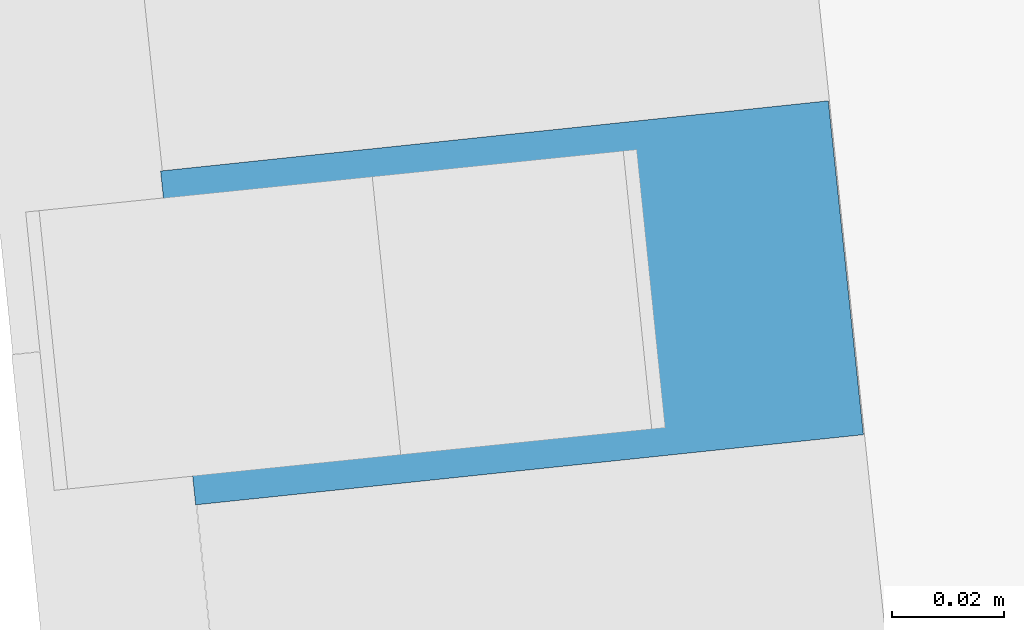
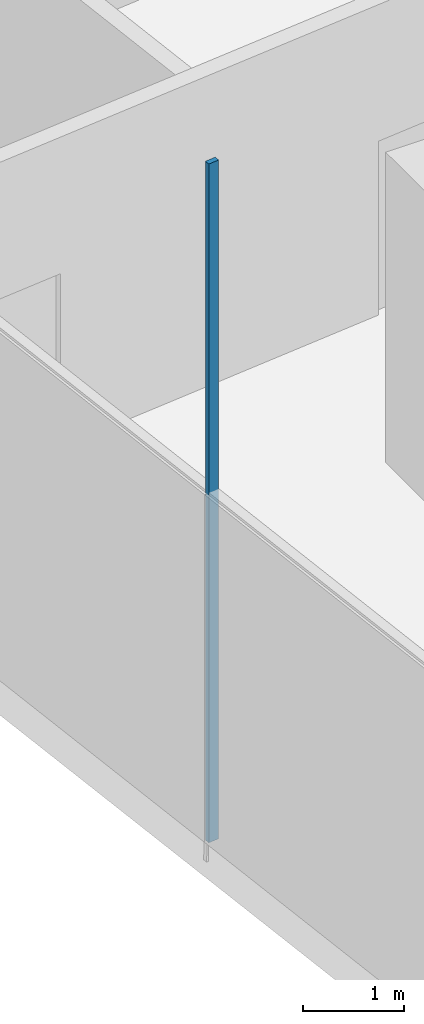
# One storey, part 5 of 41: 1 member, 1 element without a shape of its own.
"""IFC4 building model written with IfcOpenShell, lengths in metres."""

from ifc_helpers import new_model, si_unit, direction, frame, origin, origin_2d, place, context, subcontext, project, spatial, rectangle, extrude, material, layer, layer_set, material_profile, profile_set, type_object, element, aggregate, save


model = new_model("IFC4")

# Units and contexts
model_context = context("Model", 3, precision=1e-05, world=origin(), true_north=direction((0.0, 1.0)))
body_context = subcontext(model_context, "Body", "Model", "MODEL_VIEW")
ifc_project = project(units=[si_unit("LENGTHUNIT", "METRE"), si_unit("AREAUNIT", "SQUARE_METRE"), si_unit("VOLUMEUNIT", "CUBIC_METRE"), si_unit("PLANEANGLEUNIT", "RADIAN"), si_unit("MASSUNIT", "GRAM", prefix="KILO")], contexts=[model_context])

# Site, building, storey
site_placement = place(None, origin())
site = spatial("IfcSite", under=ifc_project, at=site_placement, CompositionType="ELEMENT")
building_placement = place(site_placement, origin())
building = spatial("IfcBuilding", under=site, at=building_placement, Name="Hakoniwa Tower and Hamabe Station Hall", CompositionType="ELEMENT")
storey_placement = place(building_placement, frame((0.0, 0.0, 276.60009765625)))
storey = spatial("IfcBuildingStorey", under=building, at=storey_placement, Name="L77", CompositionType="ELEMENT", Elevation=276.60009765625)

# Curtain wall, member
ifc_material_1 = material(Name="Dark low-e laminated glass", Category="glass")
ifc_layer = layer(ifc_material_1, 0.199951171875)
ifc_layer_set = layer_set([ifc_layer], Name="CW-4 CROWN FACETS")
curtain_wall_type = type_object("IfcCurtainWallType", Name="CW-4 CROWN FACETS", PredefinedType="NOTDEFINED", material=ifc_layer_set)
curtain_wall_placement = place(storey_placement, origin())
curtain_wall = element("IfcCurtainWall", 1, at=curtain_wall_placement, inside=storey, type_object=curtain_wall_type, Name="Crown skirt facet L77", PredefinedType="NOTDEFINED")
ifc_material_2 = material(Name="Aluminium 6063-T5 black anodised", Category="aluminium")
ifc_material_profile = material_profile(ifc_material_2, rectangle(XDim=0.06005859375, YDim=0.1201171875, at=origin_2d()), Name="CW-4 GLAZING BAR 60X120")
ifc_profile_set = profile_set([ifc_material_profile], Name="Aluminium 6063-T5 black anodised")
member_type = type_object("IfcMemberType", Name="CW-4 GLAZING BAR 60X120", PredefinedType="MULLION", material=ifc_profile_set)
member_placement = place(storey_placement, frame((-38.338134765625, 3.628662109375, 0.0), z_axis=(0.0, 0.0, 1.0), x_axis=(-0.104528443376, 0.994521897459, 0.0)))
member = element("IfcMember", 2, at=member_placement, type_object=member_type, Name="Crown glazing bar", PredefinedType="MULLION", context=body_context, shape_type="SweptSolid", body=[
    extrude(rectangle(XDim=0.06005859375, YDim=0.1201171875, at=origin_2d()), origin(), (0.0, 0.0, 1.0), 8.199951171875),
])
aggregate(curtain_wall, [member])

save(model, "model.ifc")
